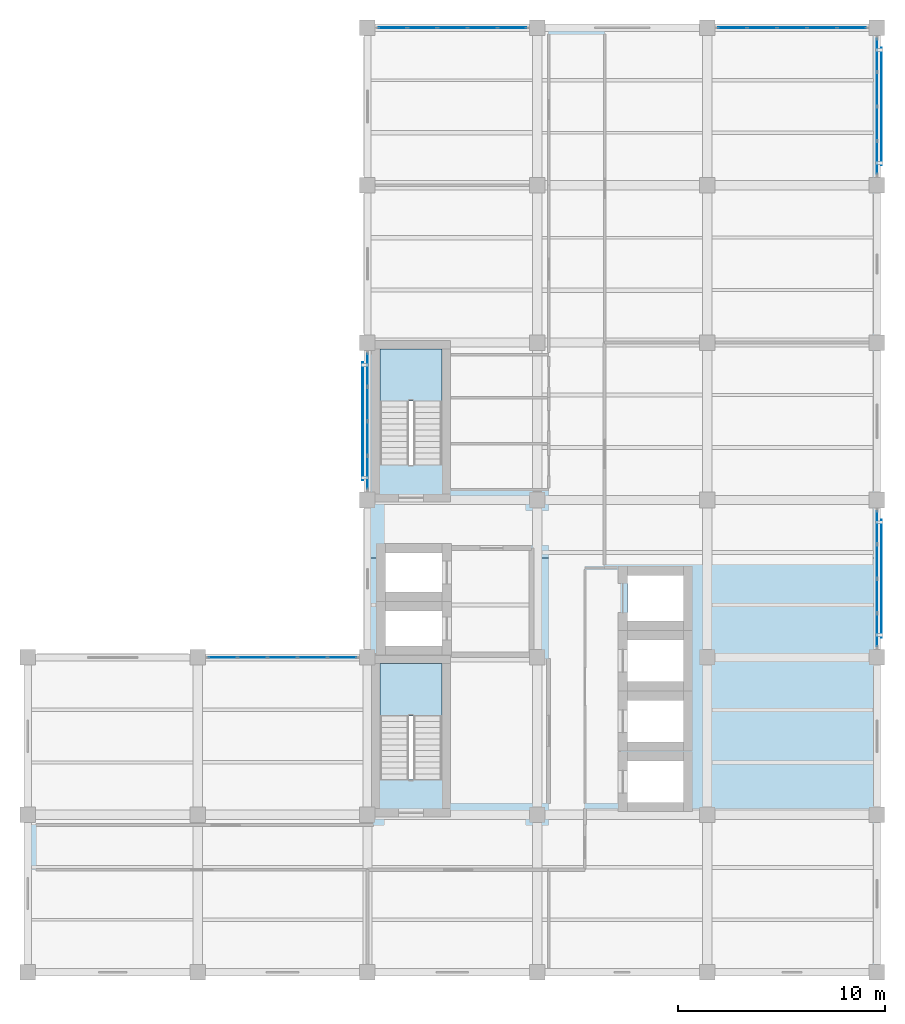
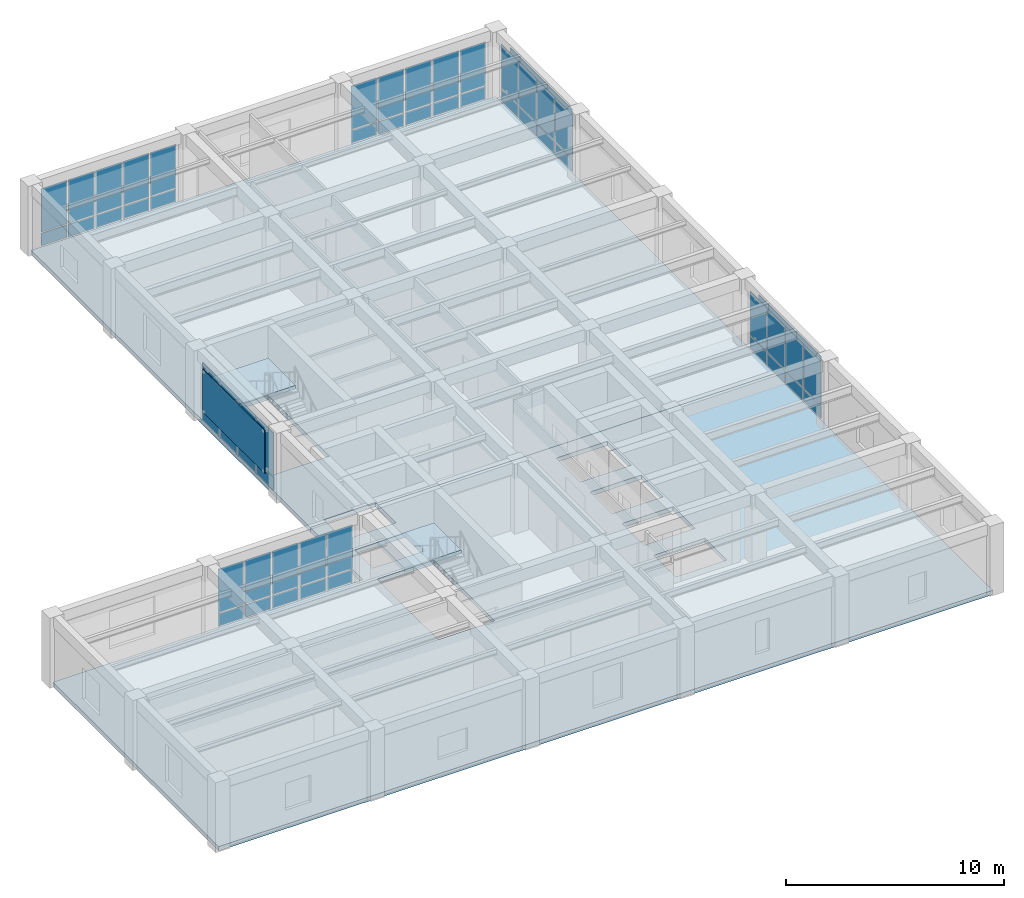
# One storey, part 6 of 13: 57 plates, 4 slabs, 8 elements without a shape of their own.
"""IFC4 building model written with IfcOpenShell, lengths in metres."""

from ifc_helpers import new_model, si_unit, direction, frame, origin, origin_2d, place, context, subcontext, project, spatial, polyline, rectangle, outline, extrude, material, layer, layer_set, type_object, element, aggregate, save


model = new_model("IFC4")

# Units and contexts
model_context = context("Model", 3, precision=1e-05, world=origin(), true_north=direction((0.0, 1.0)))
body_context = subcontext(model_context, "Body", "Model", "MODEL_VIEW")
ifc_project = project(units=[si_unit("LENGTHUNIT", "METRE"), si_unit("AREAUNIT", "SQUARE_METRE"), si_unit("VOLUMEUNIT", "CUBIC_METRE"), si_unit("PLANEANGLEUNIT", "RADIAN"), si_unit("MASSUNIT", "GRAM", prefix="KILO")], contexts=[model_context])

# Site, building, storey
site_placement = place(None, origin())
site = spatial("IfcSite", under=ifc_project, at=site_placement, CompositionType="ELEMENT")
building_placement = place(site_placement, origin())
building = spatial("IfcBuilding", under=site, at=building_placement, Name="Qandaris Square Conservatory and Botanical Centre", CompositionType="ELEMENT")
storey_placement = place(building_placement, frame((0.0, 0.0, 57.60009765625)))
storey = spatial("IfcBuildingStorey", under=building, at=storey_placement, Name="L13", CompositionType="ELEMENT", Elevation=57.60009765625)

# Curtain wall, plates
ifc_material_1 = material(Name="Anodised Aluminium", Category="aluminium")
curtain_wall_type_1 = type_object("IfcCurtainWallType", Name="Unitised Curtain Wall CW-4-665x332", PredefinedType="USERDEFINED", material=ifc_material_1)
curtain_wall_1_placement = place(storey_placement, origin())
curtain_wall_1 = element("IfcCurtainWall", 1, at=curtain_wall_1_placement, inside=storey, type_object=curtain_wall_type_1, Name="Curtain Wall CW-TWR-L13-2-3", ObjectType="GLAZED CURTAIN WALL", PredefinedType="USERDEFINED")
ifc_material_2 = material(Name="Tempered Low-E Glass", Category="glass")
ifc_layer_1 = layer(ifc_material_2, 0.035888671875)
ifc_layer_set_1 = layer_set([ifc_layer_1], Name="Tempered Low-E Glass")
plate_type_1 = type_object("IfcPlateType", Name="Double-Glazed Solar Control Vision Unit 36mm", PredefinedType="CURTAIN_PANEL", material=ifc_layer_set_1)
plate_1_placement = place(storey_placement, frame((163.800048828125, 33.12255859375, 0.06494140625), z_axis=(0.0, 0.0, 1.0), x_axis=(0.0, 1.0, 0.0)))
plate_1 = element("IfcPlate", 2, at=plate_1_placement, type_object=plate_type_1, Name="CW-4-665x332 panel 1.1", PredefinedType="CURTAIN_PANEL", context=body_context, shape_type="SweptSolid", body=[
    extrude(rectangle(XDim=1.56494140625, YDim=0.035888671875, at=origin_2d()), origin(), (0.0, 0.0, 1.0), 0.69921875),
])
plate_2_placement = place(storey_placement, frame((163.800048828125, 33.12255859375, 0.8291015625), z_axis=(0.0, 0.0, 1.0), x_axis=(0.0, 1.0, 0.0)))
plate_2 = element("IfcPlate", 3, at=plate_2_placement, type_object=plate_type_1, Name="CW-4-665x332 panel 1.2", PredefinedType="CURTAIN_PANEL", context=body_context, shape_type="SweptSolid", body=[
    extrude(rectangle(XDim=1.56494140625, YDim=0.035888671875, at=origin_2d()), origin(), (0.0, 0.0, 1.0), 2.42578125),
])
plate_3_placement = place(storey_placement, frame((163.800048828125, 34.768798828125, 0.06494140625), z_axis=(0.0, 0.0, 1.0), x_axis=(0.0, 1.0, 0.0)))
plate_3 = element("IfcPlate", 4, at=plate_3_placement, type_object=plate_type_1, Name="CW-4-665x332 panel 2.1", PredefinedType="CURTAIN_PANEL", context=body_context, shape_type="SweptSolid", body=[
    extrude(rectangle(XDim=1.597412109375, YDim=0.035888671875, at=origin_2d()), origin(), (0.0, 0.0, 1.0), 0.69921875),
])
plate_4_placement = place(storey_placement, frame((163.800048828125, 34.768798828125, 0.8291015625), z_axis=(0.0, 0.0, 1.0), x_axis=(0.0, 1.0, 0.0)))
plate_4 = element("IfcPlate", 5, at=plate_4_placement, type_object=plate_type_1, Name="CW-4-665x332 panel 2.2", PredefinedType="CURTAIN_PANEL", context=body_context, shape_type="SweptSolid", body=[
    extrude(rectangle(XDim=1.597412109375, YDim=0.035888671875, at=origin_2d()), origin(), (0.0, 0.0, 1.0), 2.42578125),
])
plate_5_placement = place(storey_placement, frame((163.800048828125, 36.43115234375, 0.06494140625), z_axis=(0.0, 0.0, 1.0), x_axis=(0.0, 1.0, 0.0)))
plate_5 = element("IfcPlate", 6, at=plate_5_placement, type_object=plate_type_1, Name="CW-4-665x332 panel 3.1", PredefinedType="CURTAIN_PANEL", context=body_context, shape_type="SweptSolid", body=[
    extrude(rectangle(XDim=1.597412109375, YDim=0.035888671875, at=origin_2d()), origin(), (0.0, 0.0, 1.0), 0.69921875),
])
plate_6_placement = place(storey_placement, frame((163.800048828125, 36.43115234375, 0.8291015625), z_axis=(0.0, 0.0, 1.0), x_axis=(0.0, 1.0, 0.0)))
plate_6 = element("IfcPlate", 7, at=plate_6_placement, type_object=plate_type_1, Name="CW-4-665x332 panel 3.2", PredefinedType="CURTAIN_PANEL", context=body_context, shape_type="SweptSolid", body=[
    extrude(rectangle(XDim=1.597412109375, YDim=0.035888671875, at=origin_2d()), origin(), (0.0, 0.0, 1.0), 2.42578125),
])
plate_7_placement = place(storey_placement, frame((163.800048828125, 38.077392578125, 0.06494140625), z_axis=(0.0, 0.0, 1.0), x_axis=(0.0, 1.0, 0.0)))
plate_7 = element("IfcPlate", 8, at=plate_7_placement, type_object=plate_type_1, Name="CW-4-665x332 panel 4.1", PredefinedType="CURTAIN_PANEL", context=body_context, shape_type="SweptSolid", body=[
    extrude(rectangle(XDim=1.56494140625, YDim=0.035888671875, at=origin_2d()), origin(), (0.0, 0.0, 1.0), 0.69921875),
])
plate_8_placement = place(storey_placement, frame((163.800048828125, 38.077392578125, 0.8291015625), z_axis=(0.0, 0.0, 1.0), x_axis=(0.0, 1.0, 0.0)))
plate_8 = element("IfcPlate", 9, at=plate_8_placement, type_object=plate_type_1, Name="CW-4-665x332 panel 4.2", PredefinedType="CURTAIN_PANEL", context=body_context, shape_type="SweptSolid", body=[
    extrude(rectangle(XDim=1.56494140625, YDim=0.035888671875, at=origin_2d()), origin(), (0.0, 0.0, 1.0), 2.42578125),
])
aggregate(curtain_wall_1, [plate_1, plate_2, plate_3, plate_4, plate_5, plate_6, plate_7, plate_8])

curtain_wall_2_placement = place(storey_placement, origin())
curtain_wall_2 = element("IfcCurtainWall", 10, at=curtain_wall_2_placement, inside=storey, type_object=curtain_wall_type_1, Name="Curtain Wall CW-TWR-L13-2-6", ObjectType="GLAZED CURTAIN WALL", PredefinedType="USERDEFINED")
plate_9_placement = place(storey_placement, frame((163.800048828125, 55.922607421875, 0.06494140625), z_axis=(0.0, 0.0, 1.0), x_axis=(0.0, 1.0, 0.0)))
plate_9 = element("IfcPlate", 11, at=plate_9_placement, type_object=plate_type_1, Name="CW-4-665x332 panel 1.1", PredefinedType="CURTAIN_PANEL", context=body_context, shape_type="SweptSolid", body=[
    extrude(rectangle(XDim=1.56494140625, YDim=0.035888671875, at=origin_2d()), origin(), (0.0, 0.0, 1.0), 0.69921875),
])
plate_10_placement = place(storey_placement, frame((163.800048828125, 55.922607421875, 0.8291015625), z_axis=(0.0, 0.0, 1.0), x_axis=(0.0, 1.0, 0.0)))
plate_10 = element("IfcPlate", 12, at=plate_10_placement, type_object=plate_type_1, Name="CW-4-665x332 panel 1.2", PredefinedType="CURTAIN_PANEL", context=body_context, shape_type="SweptSolid", body=[
    extrude(rectangle(XDim=1.56494140625, YDim=0.035888671875, at=origin_2d()), origin(), (0.0, 0.0, 1.0), 2.42578125),
])
plate_11_placement = place(storey_placement, frame((163.800048828125, 57.56884765625, 0.06494140625), z_axis=(0.0, 0.0, 1.0), x_axis=(0.0, 1.0, 0.0)))
plate_11 = element("IfcPlate", 13, at=plate_11_placement, type_object=plate_type_1, Name="CW-4-665x332 panel 2.1", PredefinedType="CURTAIN_PANEL", context=body_context, shape_type="SweptSolid", body=[
    extrude(rectangle(XDim=1.597412109375, YDim=0.035888671875, at=origin_2d()), origin(), (0.0, 0.0, 1.0), 0.69921875),
])
plate_12_placement = place(storey_placement, frame((163.800048828125, 57.56884765625, 0.8291015625), z_axis=(0.0, 0.0, 1.0), x_axis=(0.0, 1.0, 0.0)))
plate_12 = element("IfcPlate", 14, at=plate_12_placement, type_object=plate_type_1, Name="CW-4-665x332 panel 2.2", PredefinedType="CURTAIN_PANEL", context=body_context, shape_type="SweptSolid", body=[
    extrude(rectangle(XDim=1.597412109375, YDim=0.035888671875, at=origin_2d()), origin(), (0.0, 0.0, 1.0), 2.42578125),
])
plate_13_placement = place(storey_placement, frame((163.800048828125, 59.231201171875, 0.06494140625), z_axis=(0.0, 0.0, 1.0), x_axis=(0.0, 1.0, 0.0)))
plate_13 = element("IfcPlate", 15, at=plate_13_placement, type_object=plate_type_1, Name="CW-4-665x332 panel 3.1", PredefinedType="CURTAIN_PANEL", context=body_context, shape_type="SweptSolid", body=[
    extrude(rectangle(XDim=1.597412109375, YDim=0.035888671875, at=origin_2d()), origin(), (0.0, 0.0, 1.0), 0.69921875),
])
plate_14_placement = place(storey_placement, frame((163.800048828125, 59.231201171875, 0.8291015625), z_axis=(0.0, 0.0, 1.0), x_axis=(0.0, 1.0, 0.0)))
plate_14 = element("IfcPlate", 16, at=plate_14_placement, type_object=plate_type_1, Name="CW-4-665x332 panel 3.2", PredefinedType="CURTAIN_PANEL", context=body_context, shape_type="SweptSolid", body=[
    extrude(rectangle(XDim=1.597412109375, YDim=0.035888671875, at=origin_2d()), origin(), (0.0, 0.0, 1.0), 2.42578125),
])
plate_15_placement = place(storey_placement, frame((163.800048828125, 60.87744140625, 0.06494140625), z_axis=(0.0, 0.0, 1.0), x_axis=(0.0, 1.0, 0.0)))
plate_15 = element("IfcPlate", 17, at=plate_15_placement, type_object=plate_type_1, Name="CW-4-665x332 panel 4.1", PredefinedType="CURTAIN_PANEL", context=body_context, shape_type="SweptSolid", body=[
    extrude(rectangle(XDim=1.56494140625, YDim=0.035888671875, at=origin_2d()), origin(), (0.0, 0.0, 1.0), 0.69921875),
])
plate_16_placement = place(storey_placement, frame((163.800048828125, 60.87744140625, 0.8291015625), z_axis=(0.0, 0.0, 1.0), x_axis=(0.0, 1.0, 0.0)))
plate_16 = element("IfcPlate", 18, at=plate_16_placement, type_object=plate_type_1, Name="CW-4-665x332 panel 4.2", PredefinedType="CURTAIN_PANEL", context=body_context, shape_type="SweptSolid", body=[
    extrude(rectangle(XDim=1.56494140625, YDim=0.035888671875, at=origin_2d()), origin(), (0.0, 0.0, 1.0), 2.42578125),
])
aggregate(curtain_wall_2, [plate_9, plate_10, plate_11, plate_12, plate_13, plate_14, plate_15, plate_16])

curtain_wall_type_2 = type_object("IfcCurtainWallType", Name="Unitised Curtain Wall CW-3-725x332", PredefinedType="USERDEFINED", material=ifc_material_1)
curtain_wall_3_placement = place(storey_placement, origin())
curtain_wall_3 = element("IfcCurtainWall", 19, at=curtain_wall_3_placement, inside=storey, type_object=curtain_wall_type_2, Name="Curtain Wall CW-TWR-L13-3-1", ObjectType="GLAZED CURTAIN WALL", PredefinedType="USERDEFINED")
plate_17_placement = place(storey_placement, frame((162.583740234375, 62.199951171875, 0.06494140625), z_axis=(0.0, 0.0, 1.0), x_axis=(-1.0, 0.0, 0.0)))
plate_17 = element("IfcPlate", 20, at=plate_17_placement, type_object=plate_type_1, Name="CW-3-725x332 panel 1.1", PredefinedType="CURTAIN_PANEL", context=body_context, shape_type="SweptSolid", body=[
    extrude(rectangle(XDim=1.3525390625, YDim=0.035888671875, at=origin_2d()), origin(), (0.0, 0.0, 1.0), 0.69921875),
])
plate_18_placement = place(storey_placement, frame((162.583740234375, 62.199951171875, 0.8291015625), z_axis=(0.0, 0.0, 1.0), x_axis=(-1.0, 0.0, 0.0)))
plate_18 = element("IfcPlate", 21, at=plate_18_placement, type_object=plate_type_1, Name="CW-3-725x332 panel 1.2", PredefinedType="CURTAIN_PANEL", context=body_context, shape_type="SweptSolid", body=[
    extrude(rectangle(XDim=1.3525390625, YDim=0.035888671875, at=origin_2d()), origin(), (0.0, 0.0, 1.0), 2.42578125),
])
plate_19_placement = place(storey_placement, frame((161.14990234375, 62.199951171875, 0.06494140625), z_axis=(0.0, 0.0, 1.0), x_axis=(-1.0, 0.0, 0.0)))
plate_19 = element("IfcPlate", 22, at=plate_19_placement, type_object=plate_type_1, Name="CW-3-725x332 panel 2.1", PredefinedType="CURTAIN_PANEL", context=body_context, shape_type="SweptSolid", body=[
    extrude(rectangle(XDim=1.385009765625, YDim=0.035888671875, at=origin_2d()), origin(), (0.0, 0.0, 1.0), 0.69921875),
])
plate_20_placement = place(storey_placement, frame((161.14990234375, 62.199951171875, 0.8291015625), z_axis=(0.0, 0.0, 1.0), x_axis=(-1.0, 0.0, 0.0)))
plate_20 = element("IfcPlate", 23, at=plate_20_placement, type_object=plate_type_1, Name="CW-3-725x332 panel 2.2", PredefinedType="CURTAIN_PANEL", context=body_context, shape_type="SweptSolid", body=[
    extrude(rectangle(XDim=1.385009765625, YDim=0.035888671875, at=origin_2d()), origin(), (0.0, 0.0, 1.0), 2.42578125),
])
plate_21_placement = place(storey_placement, frame((159.699951171875, 62.199951171875, 0.06494140625), z_axis=(0.0, 0.0, 1.0), x_axis=(-1.0, 0.0, 0.0)))
plate_21 = element("IfcPlate", 24, at=plate_21_placement, type_object=plate_type_1, Name="CW-3-725x332 panel 3.1", PredefinedType="CURTAIN_PANEL", context=body_context, shape_type="SweptSolid", body=[
    extrude(rectangle(XDim=1.385009765625, YDim=0.035888671875, at=origin_2d()), origin(), (0.0, 0.0, 1.0), 0.69921875),
])
plate_22_placement = place(storey_placement, frame((159.699951171875, 62.199951171875, 0.8291015625), z_axis=(0.0, 0.0, 1.0), x_axis=(-1.0, 0.0, 0.0)))
plate_22 = element("IfcPlate", 25, at=plate_22_placement, type_object=plate_type_1, Name="CW-3-725x332 panel 3.2", PredefinedType="CURTAIN_PANEL", context=body_context, shape_type="SweptSolid", body=[
    extrude(rectangle(XDim=1.385009765625, YDim=0.035888671875, at=origin_2d()), origin(), (0.0, 0.0, 1.0), 2.42578125),
])
plate_23_placement = place(storey_placement, frame((158.25, 62.199951171875, 0.06494140625), z_axis=(0.0, 0.0, 1.0), x_axis=(-1.0, 0.0, 0.0)))
plate_23 = element("IfcPlate", 26, at=plate_23_placement, type_object=plate_type_1, Name="CW-3-725x332 panel 4.1", PredefinedType="CURTAIN_PANEL", context=body_context, shape_type="SweptSolid", body=[
    extrude(rectangle(XDim=1.385009765625, YDim=0.035888671875, at=origin_2d()), origin(), (0.0, 0.0, 1.0), 0.69921875),
])
plate_24_placement = place(storey_placement, frame((158.25, 62.199951171875, 0.8291015625), z_axis=(0.0, 0.0, 1.0), x_axis=(-1.0, 0.0, 0.0)))
plate_24 = element("IfcPlate", 27, at=plate_24_placement, type_object=plate_type_1, Name="CW-3-725x332 panel 4.2", PredefinedType="CURTAIN_PANEL", context=body_context, shape_type="SweptSolid", body=[
    extrude(rectangle(XDim=1.385009765625, YDim=0.035888671875, at=origin_2d()), origin(), (0.0, 0.0, 1.0), 2.42578125),
])
plate_25_placement = place(storey_placement, frame((156.816162109375, 62.199951171875, 0.06494140625), z_axis=(0.0, 0.0, 1.0), x_axis=(-1.0, 0.0, 0.0)))
plate_25 = element("IfcPlate", 28, at=plate_25_placement, type_object=plate_type_1, Name="CW-3-725x332 panel 5.1", PredefinedType="CURTAIN_PANEL", context=body_context, shape_type="SweptSolid", body=[
    extrude(rectangle(XDim=1.3525390625, YDim=0.035888671875, at=origin_2d()), origin(), (0.0, 0.0, 1.0), 0.69921875),
])
plate_26_placement = place(storey_placement, frame((156.816162109375, 62.199951171875, 0.8291015625), z_axis=(0.0, 0.0, 1.0), x_axis=(-1.0, 0.0, 0.0)))
plate_26 = element("IfcPlate", 29, at=plate_26_placement, type_object=plate_type_1, Name="CW-3-725x332 panel 5.2", PredefinedType="CURTAIN_PANEL", context=body_context, shape_type="SweptSolid", body=[
    extrude(rectangle(XDim=1.3525390625, YDim=0.035888671875, at=origin_2d()), origin(), (0.0, 0.0, 1.0), 2.42578125),
])
aggregate(curtain_wall_3, [plate_17, plate_18, plate_19, plate_20, plate_21, plate_22, plate_23, plate_24, plate_25, plate_26])

curtain_wall_4_placement = place(storey_placement, origin())
curtain_wall_4 = element("IfcCurtainWall", 30, at=curtain_wall_4_placement, inside=storey, type_object=curtain_wall_type_2, Name="Curtain Wall CW-TWR-L13-3-3", ObjectType="GLAZED CURTAIN WALL", PredefinedType="USERDEFINED")
plate_27_placement = place(storey_placement, frame((146.183837890625, 62.199951171875, 0.06494140625), z_axis=(0.0, 0.0, 1.0), x_axis=(-1.0, 0.0, 0.0)))
plate_27 = element("IfcPlate", 31, at=plate_27_placement, type_object=plate_type_1, Name="CW-3-725x332 panel 1.1", PredefinedType="CURTAIN_PANEL", context=body_context, shape_type="SweptSolid", body=[
    extrude(rectangle(XDim=1.3525390625, YDim=0.035888671875, at=origin_2d()), origin(), (0.0, 0.0, 1.0), 0.69921875),
])
plate_28_placement = place(storey_placement, frame((146.183837890625, 62.199951171875, 0.8291015625), z_axis=(0.0, 0.0, 1.0), x_axis=(-1.0, 0.0, 0.0)))
plate_28 = element("IfcPlate", 32, at=plate_28_placement, type_object=plate_type_1, Name="CW-3-725x332 panel 1.2", PredefinedType="CURTAIN_PANEL", context=body_context, shape_type="SweptSolid", body=[
    extrude(rectangle(XDim=1.3525390625, YDim=0.035888671875, at=origin_2d()), origin(), (0.0, 0.0, 1.0), 2.42578125),
])
plate_29_placement = place(storey_placement, frame((144.75, 62.199951171875, 0.06494140625), z_axis=(0.0, 0.0, 1.0), x_axis=(-1.0, 0.0, 0.0)))
plate_29 = element("IfcPlate", 33, at=plate_29_placement, type_object=plate_type_1, Name="CW-3-725x332 panel 2.1", PredefinedType="CURTAIN_PANEL", context=body_context, shape_type="SweptSolid", body=[
    extrude(rectangle(XDim=1.385009765625, YDim=0.035888671875, at=origin_2d()), origin(), (0.0, 0.0, 1.0), 0.69921875),
])
plate_30_placement = place(storey_placement, frame((144.75, 62.199951171875, 0.8291015625), z_axis=(0.0, 0.0, 1.0), x_axis=(-1.0, 0.0, 0.0)))
plate_30 = element("IfcPlate", 34, at=plate_30_placement, type_object=plate_type_1, Name="CW-3-725x332 panel 2.2", PredefinedType="CURTAIN_PANEL", context=body_context, shape_type="SweptSolid", body=[
    extrude(rectangle(XDim=1.385009765625, YDim=0.035888671875, at=origin_2d()), origin(), (0.0, 0.0, 1.0), 2.42578125),
])
plate_31_placement = place(storey_placement, frame((143.300048828125, 62.199951171875, 0.06494140625), z_axis=(0.0, 0.0, 1.0), x_axis=(-1.0, 0.0, 0.0)))
plate_31 = element("IfcPlate", 35, at=plate_31_placement, type_object=plate_type_1, Name="CW-3-725x332 panel 3.1", PredefinedType="CURTAIN_PANEL", context=body_context, shape_type="SweptSolid", body=[
    extrude(rectangle(XDim=1.385009765625, YDim=0.035888671875, at=origin_2d()), origin(), (0.0, 0.0, 1.0), 0.69921875),
])
plate_32_placement = place(storey_placement, frame((143.300048828125, 62.199951171875, 0.8291015625), z_axis=(0.0, 0.0, 1.0), x_axis=(-1.0, 0.0, 0.0)))
plate_32 = element("IfcPlate", 36, at=plate_32_placement, type_object=plate_type_1, Name="CW-3-725x332 panel 3.2", PredefinedType="CURTAIN_PANEL", context=body_context, shape_type="SweptSolid", body=[
    extrude(rectangle(XDim=1.385009765625, YDim=0.035888671875, at=origin_2d()), origin(), (0.0, 0.0, 1.0), 2.42578125),
])
plate_33_placement = place(storey_placement, frame((141.85009765625, 62.199951171875, 0.06494140625), z_axis=(0.0, 0.0, 1.0), x_axis=(-1.0, 0.0, 0.0)))
plate_33 = element("IfcPlate", 37, at=plate_33_placement, type_object=plate_type_1, Name="CW-3-725x332 panel 4.1", PredefinedType="CURTAIN_PANEL", context=body_context, shape_type="SweptSolid", body=[
    extrude(rectangle(XDim=1.385009765625, YDim=0.035888671875, at=origin_2d()), origin(), (0.0, 0.0, 1.0), 0.69921875),
])
plate_34_placement = place(storey_placement, frame((141.85009765625, 62.199951171875, 0.8291015625), z_axis=(0.0, 0.0, 1.0), x_axis=(-1.0, 0.0, 0.0)))
plate_34 = element("IfcPlate", 38, at=plate_34_placement, type_object=plate_type_1, Name="CW-3-725x332 panel 4.2", PredefinedType="CURTAIN_PANEL", context=body_context, shape_type="SweptSolid", body=[
    extrude(rectangle(XDim=1.385009765625, YDim=0.035888671875, at=origin_2d()), origin(), (0.0, 0.0, 1.0), 2.42578125),
])
plate_35_placement = place(storey_placement, frame((140.416259765625, 62.199951171875, 0.06494140625), z_axis=(0.0, 0.0, 1.0), x_axis=(-1.0, 0.0, 0.0)))
plate_35 = element("IfcPlate", 39, at=plate_35_placement, type_object=plate_type_1, Name="CW-3-725x332 panel 5.1", PredefinedType="CURTAIN_PANEL", context=body_context, shape_type="SweptSolid", body=[
    extrude(rectangle(XDim=1.3525390625, YDim=0.035888671875, at=origin_2d()), origin(), (0.0, 0.0, 1.0), 0.69921875),
])
plate_36_placement = place(storey_placement, frame((140.416259765625, 62.199951171875, 0.8291015625), z_axis=(0.0, 0.0, 1.0), x_axis=(-1.0, 0.0, 0.0)))
plate_36 = element("IfcPlate", 40, at=plate_36_placement, type_object=plate_type_1, Name="CW-3-725x332 panel 5.2", PredefinedType="CURTAIN_PANEL", context=body_context, shape_type="SweptSolid", body=[
    extrude(rectangle(XDim=1.3525390625, YDim=0.035888671875, at=origin_2d()), origin(), (0.0, 0.0, 1.0), 2.42578125),
])
aggregate(curtain_wall_4, [plate_27, plate_28, plate_29, plate_30, plate_31, plate_32, plate_33, plate_34, plate_35, plate_36])

curtain_wall_5_placement = place(storey_placement, origin())
curtain_wall_5 = element("IfcCurtainWall", 41, at=curtain_wall_5_placement, inside=storey, type_object=curtain_wall_type_1, Name="Curtain Wall CW-TWR-L13-4-3", ObjectType="GLAZED CURTAIN WALL", PredefinedType="USERDEFINED")
plate_37_placement = place(storey_placement, frame((139.199951171875, 45.677490234375, 0.06494140625), z_axis=(0.0, 0.0, 1.0), x_axis=(0.0, -1.0, 0.0)))
plate_37 = element("IfcPlate", 42, at=plate_37_placement, type_object=plate_type_1, Name="CW-4-665x332 panel 1.1", PredefinedType="CURTAIN_PANEL", context=body_context, shape_type="SweptSolid", body=[
    extrude(rectangle(XDim=1.56494140625, YDim=0.035888671875, at=origin_2d()), origin(), (0.0, 0.0, 1.0), 0.69921875),
])
plate_38_placement = place(storey_placement, frame((139.199951171875, 45.677490234375, 0.8291015625), z_axis=(0.0, 0.0, 1.0), x_axis=(0.0, -1.0, 0.0)))
plate_38 = element("IfcPlate", 43, at=plate_38_placement, type_object=plate_type_1, Name="CW-4-665x332 panel 1.2", PredefinedType="CURTAIN_PANEL", context=body_context, shape_type="SweptSolid", body=[
    extrude(rectangle(XDim=1.56494140625, YDim=0.035888671875, at=origin_2d()), origin(), (0.0, 0.0, 1.0), 2.42578125),
])
plate_39_placement = place(storey_placement, frame((139.199951171875, 44.03125, 0.06494140625), z_axis=(0.0, 0.0, 1.0), x_axis=(0.0, -1.0, 0.0)))
plate_39 = element("IfcPlate", 44, at=plate_39_placement, type_object=plate_type_1, Name="CW-4-665x332 panel 2.1", PredefinedType="CURTAIN_PANEL", context=body_context, shape_type="SweptSolid", body=[
    extrude(rectangle(XDim=1.597412109375, YDim=0.035888671875, at=origin_2d()), origin(), (0.0, 0.0, 1.0), 0.69921875),
])
plate_40_placement = place(storey_placement, frame((139.199951171875, 44.03125, 0.8291015625), z_axis=(0.0, 0.0, 1.0), x_axis=(0.0, -1.0, 0.0)))
plate_40 = element("IfcPlate", 45, at=plate_40_placement, type_object=plate_type_1, Name="CW-4-665x332 panel 2.2", PredefinedType="CURTAIN_PANEL", context=body_context, shape_type="SweptSolid", body=[
    extrude(rectangle(XDim=1.597412109375, YDim=0.035888671875, at=origin_2d()), origin(), (0.0, 0.0, 1.0), 2.42578125),
])
plate_41_placement = place(storey_placement, frame((139.199951171875, 42.36865234375, 0.06494140625), z_axis=(0.0, 0.0, 1.0), x_axis=(0.0, -1.0, 0.0)))
plate_41 = element("IfcPlate", 46, at=plate_41_placement, type_object=plate_type_1, Name="CW-4-665x332 panel 3.1", PredefinedType="CURTAIN_PANEL", context=body_context, shape_type="SweptSolid", body=[
    extrude(rectangle(XDim=1.597412109375, YDim=0.035888671875, at=origin_2d()), origin(), (0.0, 0.0, 1.0), 0.69921875),
])
plate_42_placement = place(storey_placement, frame((139.199951171875, 42.36865234375, 0.8291015625), z_axis=(0.0, 0.0, 1.0), x_axis=(0.0, -1.0, 0.0)))
plate_42 = element("IfcPlate", 47, at=plate_42_placement, type_object=plate_type_1, Name="CW-4-665x332 panel 3.2", PredefinedType="CURTAIN_PANEL", context=body_context, shape_type="SweptSolid", body=[
    extrude(rectangle(XDim=1.597412109375, YDim=0.035888671875, at=origin_2d()), origin(), (0.0, 0.0, 1.0), 2.42578125),
])
plate_43_placement = place(storey_placement, frame((139.199951171875, 40.722412109375, 0.06494140625), z_axis=(0.0, 0.0, 1.0), x_axis=(0.0, -1.0, 0.0)))
plate_43 = element("IfcPlate", 48, at=plate_43_placement, type_object=plate_type_1, Name="CW-4-665x332 panel 4.1", PredefinedType="CURTAIN_PANEL", context=body_context, shape_type="SweptSolid", body=[
    extrude(rectangle(XDim=1.56494140625, YDim=0.035888671875, at=origin_2d()), origin(), (0.0, 0.0, 1.0), 0.69921875),
])
plate_44_placement = place(storey_placement, frame((139.199951171875, 40.722412109375, 0.8291015625), z_axis=(0.0, 0.0, 1.0), x_axis=(0.0, -1.0, 0.0)))
plate_44 = element("IfcPlate", 49, at=plate_44_placement, type_object=plate_type_1, Name="CW-4-665x332 panel 4.2", PredefinedType="CURTAIN_PANEL", context=body_context, shape_type="SweptSolid", body=[
    extrude(rectangle(XDim=1.56494140625, YDim=0.035888671875, at=origin_2d()), origin(), (0.0, 0.0, 1.0), 2.42578125),
])
aggregate(curtain_wall_5, [plate_37, plate_38, plate_39, plate_40, plate_41, plate_42, plate_43, plate_44])

curtain_wall_type_3 = type_object("IfcCurtainWallType", Name="Unitised Curtain Wall CW-4-725x332", PredefinedType="USERDEFINED", material=ifc_material_1)
curtain_wall_6_placement = place(storey_placement, origin())
curtain_wall_6 = element("IfcCurtainWall", 50, at=curtain_wall_6_placement, inside=storey, type_object=curtain_wall_type_3, Name="Curtain Wall CW-TWR-L13-5-1", ObjectType="GLAZED CURTAIN WALL", PredefinedType="USERDEFINED")
plate_45_placement = place(storey_placement, frame((137.983642578125, 31.800048828125, 0.06494140625), z_axis=(0.0, 0.0, 1.0), x_axis=(-1.0, 0.0, 0.0)))
plate_45 = element("IfcPlate", 51, at=plate_45_placement, type_object=plate_type_1, Name="CW-4-725x332 panel 1.1", PredefinedType="CURTAIN_PANEL", context=body_context, shape_type="SweptSolid", body=[
    extrude(rectangle(XDim=1.3525390625, YDim=0.035888671875, at=origin_2d()), origin(), (0.0, 0.0, 1.0), 0.69921875),
])
plate_46_placement = place(storey_placement, frame((137.983642578125, 31.800048828125, 0.8291015625), z_axis=(0.0, 0.0, 1.0), x_axis=(-1.0, 0.0, 0.0)))
plate_46 = element("IfcPlate", 52, at=plate_46_placement, type_object=plate_type_1, Name="CW-4-725x332 panel 1.2", PredefinedType="CURTAIN_PANEL", context=body_context, shape_type="SweptSolid", body=[
    extrude(rectangle(XDim=1.3525390625, YDim=0.035888671875, at=origin_2d()), origin(), (0.0, 0.0, 1.0), 2.42578125),
])
plate_47_placement = place(storey_placement, frame((136.550048828125, 31.800048828125, 0.06494140625), z_axis=(0.0, 0.0, 1.0), x_axis=(-1.0, 0.0, 0.0)))
plate_47 = element("IfcPlate", 53, at=plate_47_placement, type_object=plate_type_1, Name="CW-4-725x332 panel 2.1", PredefinedType="CURTAIN_PANEL", context=body_context, shape_type="SweptSolid", body=[
    extrude(rectangle(XDim=1.385009765625, YDim=0.035888671875, at=origin_2d()), origin(), (0.0, 0.0, 1.0), 0.69921875),
])
plate_48_placement = place(storey_placement, frame((136.550048828125, 31.800048828125, 0.8291015625), z_axis=(0.0, 0.0, 1.0), x_axis=(-1.0, 0.0, 0.0)))
plate_48 = element("IfcPlate", 54, at=plate_48_placement, type_object=plate_type_1, Name="CW-4-725x332 panel 2.2", PredefinedType="CURTAIN_PANEL", context=body_context, shape_type="SweptSolid", body=[
    extrude(rectangle(XDim=1.385009765625, YDim=0.035888671875, at=origin_2d()), origin(), (0.0, 0.0, 1.0), 2.42578125),
])
plate_49_placement = place(storey_placement, frame((135.10009765625, 31.800048828125, 0.06494140625), z_axis=(0.0, 0.0, 1.0), x_axis=(-1.0, 0.0, 0.0)))
plate_49 = element("IfcPlate", 55, at=plate_49_placement, type_object=plate_type_1, Name="CW-4-725x332 panel 3.1", PredefinedType="CURTAIN_PANEL", context=body_context, shape_type="SweptSolid", body=[
    extrude(rectangle(XDim=1.385009765625, YDim=0.035888671875, at=origin_2d()), origin(), (0.0, 0.0, 1.0), 0.69921875),
])
plate_50_placement = place(storey_placement, frame((135.10009765625, 31.800048828125, 0.8291015625), z_axis=(0.0, 0.0, 1.0), x_axis=(-1.0, 0.0, 0.0)))
plate_50 = element("IfcPlate", 56, at=plate_50_placement, type_object=plate_type_1, Name="CW-4-725x332 panel 3.2", PredefinedType="CURTAIN_PANEL", context=body_context, shape_type="SweptSolid", body=[
    extrude(rectangle(XDim=1.385009765625, YDim=0.035888671875, at=origin_2d()), origin(), (0.0, 0.0, 1.0), 2.42578125),
])
plate_51_placement = place(storey_placement, frame((133.64990234375, 31.800048828125, 0.06494140625), z_axis=(0.0, 0.0, 1.0), x_axis=(-1.0, 0.0, 0.0)))
plate_51 = element("IfcPlate", 57, at=plate_51_placement, type_object=plate_type_1, Name="CW-4-725x332 panel 4.1", PredefinedType="CURTAIN_PANEL", context=body_context, shape_type="SweptSolid", body=[
    extrude(rectangle(XDim=1.385009765625, YDim=0.035888671875, at=origin_2d()), origin(), (0.0, 0.0, 1.0), 0.69921875),
])
plate_52_placement = place(storey_placement, frame((133.64990234375, 31.800048828125, 0.8291015625), z_axis=(0.0, 0.0, 1.0), x_axis=(-1.0, 0.0, 0.0)))
plate_52 = element("IfcPlate", 58, at=plate_52_placement, type_object=plate_type_1, Name="CW-4-725x332 panel 4.2", PredefinedType="CURTAIN_PANEL", context=body_context, shape_type="SweptSolid", body=[
    extrude(rectangle(XDim=1.385009765625, YDim=0.035888671875, at=origin_2d()), origin(), (0.0, 0.0, 1.0), 2.42578125),
])
plate_53_placement = place(storey_placement, frame((132.21630859375, 31.800048828125, 0.06494140625), z_axis=(0.0, 0.0, 1.0), x_axis=(-1.0, 0.0, 0.0)))
plate_53 = element("IfcPlate", 59, at=plate_53_placement, type_object=plate_type_1, Name="CW-4-725x332 panel 5.1", PredefinedType="CURTAIN_PANEL", context=body_context, shape_type="SweptSolid", body=[
    extrude(rectangle(XDim=1.3525390625, YDim=0.035888671875, at=origin_2d()), origin(), (0.0, 0.0, 1.0), 0.69921875),
])
plate_54_placement = place(storey_placement, frame((132.21630859375, 31.800048828125, 0.8291015625), z_axis=(0.0, 0.0, 1.0), x_axis=(-1.0, 0.0, 0.0)))
plate_54 = element("IfcPlate", 60, at=plate_54_placement, type_object=plate_type_1, Name="CW-4-725x332 panel 5.2", PredefinedType="CURTAIN_PANEL", context=body_context, shape_type="SweptSolid", body=[
    extrude(rectangle(XDim=1.3525390625, YDim=0.035888671875, at=origin_2d()), origin(), (0.0, 0.0, 1.0), 2.42578125),
])
aggregate(curtain_wall_6, [plate_45, plate_46, plate_47, plate_48, plate_49, plate_50, plate_51, plate_52, plate_53, plate_54])

# Plates
ifc_material_3 = material(Name="Weathering Bronze Alloy", Category="metal")
ifc_layer_2 = layer(ifc_material_3, 0.044921875)
ifc_layer_set_2 = layer_set([ifc_layer_2], Name="Weathering Bronze Alloy")
plate_type_2 = type_object("IfcPlateType", Name="Perforated Bronze Mashrabiya Solar Screen Panel", PredefinedType="USERDEFINED", material=ifc_layer_set_2)
for number, where, z_axis, x_axis, name in (
    (61, (164.02001953125, 35.60009765625, 0.82666015625), (0.0, 0.0, 1.0), (0.0, 1.0, 0.0), "Mashrabiya Solar Screen CW-TWR-L13-2-3"),
    (62, (164.02001953125, 58.39990234375, 0.82666015625), (0.0, 0.0, 1.0), (0.0, 1.0, 0.0), "Mashrabiya Solar Screen CW-TWR-L13-2-6"),
    (63, (138.97998046875, 43.199951171875, 0.82666015625), (0.0, 0.0, 1.0), (0.0, -1.0, 0.0), "Mashrabiya Solar Screen CW-TWR-L13-4-3"),
):
    element("IfcPlate", number, at=place(storey_placement, frame(where, z_axis=z_axis, x_axis=x_axis)), inside=storey, type_object=plate_type_2, Name=name, ObjectType="SOLAR SCREEN", PredefinedType="USERDEFINED", context=body_context, shape_type="SweptSolid", body=[
        extrude(rectangle(XDim=5.68994140625, YDim=0.044921875, at=origin_2d()), origin(), (0.0, 0.0, 1.0), 2.4033203125),
    ])

# Stair, slab
ifc_material_4 = material(Name="Concrete C40/50", Category="concrete")
stair_type = type_object("IfcStairType", Name="Core Escape Scissor Stair", PredefinedType="HALF_TURN_STAIR", material=ifc_material_4)
stair_1_placement = place(storey_placement, origin())
stair_1 = element("IfcStair", 64, at=stair_1_placement, inside=storey, type_object=stair_type, Name="L13 Tower South Exit Stair ST-1", PredefinedType="HALF_TURN_STAIR")
ifc_layer_3 = layer(ifc_material_4, 0.219970703125)
ifc_layer_set_3 = layer_set([ifc_layer_3], Name="Concrete C40/50")
slab_type_1 = type_object("IfcSlabType", Name="RC Stair Half-Landing Slab 220mm", PredefinedType="LANDING", material=ifc_layer_set_3)
slab_1_placement = place(storey_placement, frame((0.0, 0.0, 1.89990234375)))
slab_1 = element("IfcSlab", 65, at=slab_1_placement, type_object=slab_type_1, Name="ST-1 landing 1", PredefinedType="LANDING", context=body_context, shape_type="SweptSolid", body=[
    extrude(outline(polyline([(142.800048828125, 28.97998046875), (142.800048828125, 31.5), (139.800048828125, 31.5), (139.800048828125, 28.97998046875), (142.800048828125, 28.97998046875)])), origin(), (0.0, 0.0, 1.0), 0.199951171875),
])
aggregate(stair_1, [slab_1])

stair_2_placement = place(storey_placement, origin())
stair_2 = element("IfcStair", 66, at=stair_2_placement, inside=storey, type_object=stair_type, Name="L13 Tower North Exit Stair ST-2", PredefinedType="HALF_TURN_STAIR")
slab_2_placement = place(storey_placement, frame((0.0, 0.0, 1.89990234375)))
slab_2 = element("IfcSlab", 67, at=slab_2_placement, type_object=slab_type_1, Name="ST-2 landing 1", PredefinedType="LANDING", context=body_context, shape_type="SweptSolid", body=[
    extrude(outline(polyline([(142.800048828125, 44.179931640625), (142.800048828125, 46.699951171875), (139.800048828125, 46.699951171875), (139.800048828125, 44.179931640625), (142.800048828125, 44.179931640625)])), origin(), (0.0, 0.0, 1.0), 0.199951171875),
])
aggregate(stair_2, [slab_2])

# Slabs
ifc_layer_4 = layer(ifc_material_4, 0.239990234375)
ifc_layer_set_4 = layer_set([ifc_layer_4], Name="Concrete C40/50")
slab_type_2 = type_object("IfcSlabType", Name="RC Structural Slab 240mm", PredefinedType="FLOOR", material=ifc_layer_set_4)
slab_3_placement = place(storey_placement, frame((0.0, 0.0, -0.239990234375)))
element("IfcSlab", 68, at=slab_3_placement, inside=storey, type_object=slab_type_2, Name="L13 Structural Slab V4L13", PredefinedType="FLOOR", context=body_context, shape_type="SweptSolid", body=[
    extrude(outline(polyline([(139.199951171875, 31.800048828125), (139.199951171875, 36.60009765625), (140.06005859375, 36.60009765625), (140.06005859375, 34.9599609375), (142.800048828125, 34.9599609375), (142.800048828125, 36.60009765625), (163.800048828125, 36.60009765625), (163.800048828125, 16.60009765625), (122.800048828125, 16.60009765625), (122.800048828125, 31.800048828125), (139.199951171875, 31.800048828125)]), holes=[polyline([(151.75, 24.800048828125), (154.449951171875, 24.800048828125), (154.449951171875, 26.800048828125), (151.75, 26.800048828125), (151.75, 24.800048828125)]), polyline([(139.800048828125, 25.89990234375), (142.800048828125, 25.89990234375), (142.800048828125, 31.5), (139.800048828125, 31.5), (139.800048828125, 25.89990234375)]), polyline([(151.75, 27.719970703125), (154.449951171875, 27.719970703125), (154.449951171875, 29.719970703125), (151.75, 29.719970703125), (151.75, 27.719970703125)]), polyline([(151.75, 30.639892578125), (154.449951171875, 30.639892578125), (154.449951171875, 32.639892578125), (151.75, 32.639892578125), (151.75, 30.639892578125)]), polyline([(140.06005859375, 32.360107421875), (142.800048828125, 32.360107421875), (142.800048828125, 34.0400390625), (140.06005859375, 34.0400390625), (140.06005859375, 32.360107421875)]), polyline([(151.75, 33.56005859375), (154.449951171875, 33.56005859375), (154.449951171875, 35.760009765625), (151.75, 35.760009765625), (151.75, 33.56005859375)])]), origin(), (0.0, 0.0, 1.0), 0.239990234375),
])
slab_4_placement = place(storey_placement, frame((0.0, 0.0, -0.239990234375)))
element("IfcSlab", 69, at=slab_4_placement, inside=storey, type_object=slab_type_2, Name="L13 Structural Slab V4L13", PredefinedType="FLOOR", context=body_context, shape_type="SweptSolid", body=[
    extrude(outline(polyline([(139.199951171875, 62.199951171875), (163.800048828125, 62.199951171875), (163.800048828125, 36.60009765625), (142.800048828125, 36.60009765625), (142.800048828125, 36.840087890625), (140.06005859375, 36.840087890625), (140.06005859375, 36.60009765625), (139.199951171875, 36.60009765625), (139.199951171875, 62.199951171875)]), holes=[polyline([(139.800048828125, 41.10009765625), (142.800048828125, 41.10009765625), (142.800048828125, 46.699951171875), (139.800048828125, 46.699951171875), (139.800048828125, 41.10009765625)])]), origin(), (0.0, 0.0, 1.0), 0.239990234375),
])

save(model, "model.ifc")
